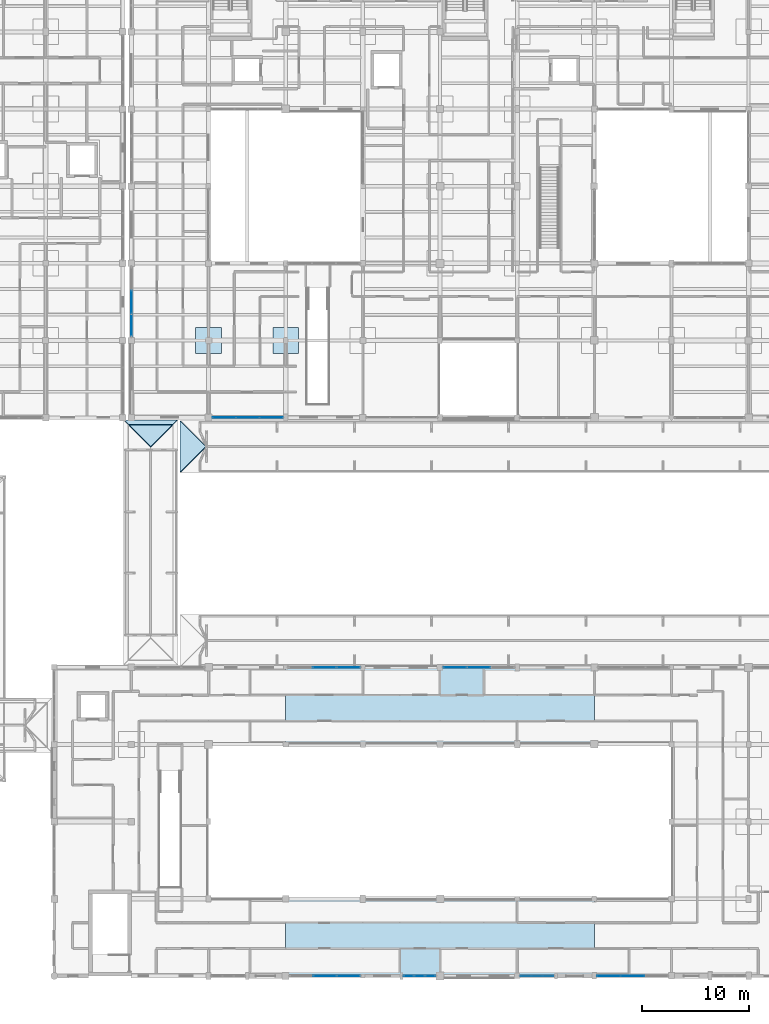
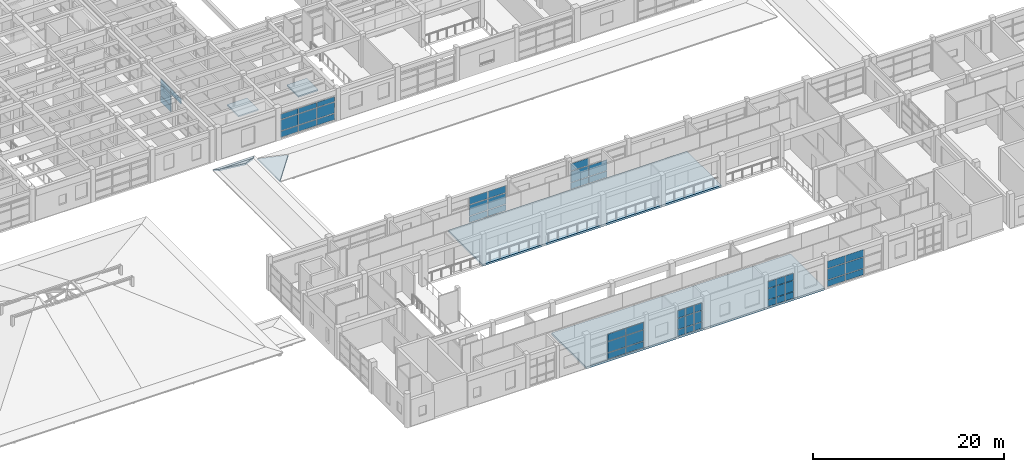
# One storey, part 60 of 110: 54 plates, 7 slabs, 10 elements without a shape of their own.
"""IFC4 building model written with IfcOpenShell, lengths in metres."""

from ifc_helpers import new_model, si_unit, direction, frame, origin, origin_2d, place, context, subcontext, project, spatial, polyline, rectangle, outline, extrude, material, layer, layer_set, type_object, element, aggregate, save


model = new_model("IFC4")

# Units and contexts
model_context = context("Model", 3, precision=1e-05, world=origin(), true_north=direction((0.0, 1.0)))
body_context = subcontext(model_context, "Body", "Model", "MODEL_VIEW")
ifc_project = project(units=[si_unit("LENGTHUNIT", "METRE"), si_unit("AREAUNIT", "SQUARE_METRE"), si_unit("VOLUMEUNIT", "CUBIC_METRE"), si_unit("PLANEANGLEUNIT", "RADIAN"), si_unit("MASSUNIT", "GRAM", prefix="KILO")], contexts=[model_context])

# Site, building, storey
site_placement = place(None, origin())
site = spatial("IfcSite", under=ifc_project, at=site_placement, CompositionType="ELEMENT")
building_placement = place(site_placement, origin())
building = spatial("IfcBuilding", under=site, at=building_placement, Name="Steenspoor Specialist Clinic", CompositionType="ELEMENT")
storey_placement = place(building_placement, frame((0.0, 0.0, 4.800048828125)))
storey = spatial("IfcBuildingStorey", under=building, at=storey_placement, Name="L01", CompositionType="ELEMENT", Elevation=4.800048828125)

# Curtain wall, plates
ifc_material_1 = material(Name="Thermally broken aluminium and low-emissivity glass", Category="aluminium")
curtain_wall_type_1 = type_object("IfcCurtainWallType", Name="CW-SCR-480X320", PredefinedType="USERDEFINED", material=ifc_material_1)
curtain_wall_1_placement = place(storey_placement, origin())
curtain_wall_1 = element("IfcCurtainWall", 1, at=curtain_wall_1_placement, inside=storey, type_object=curtain_wall_type_1, Name="Unitised Curtain Wall CW-V1-L01-018", ObjectType="UNITISED GLAZING", PredefinedType="USERDEFINED")
ifc_material_2 = material(Name="Double low-emissivity insulated glass", Category="glass")
ifc_layer_1 = layer(ifc_material_2, 0.035888671875)
ifc_layer_set_1 = layer_set([ifc_layer_1], Name="Double low-emissivity insulated glass")
plate_type_1 = type_object("IfcPlateType", Name="CW-PAN-GL36", PredefinedType="CURTAIN_PANEL", material=ifc_layer_set_1)
plate_1_placement = place(storey_placement, frame((80.29248046875, 13.050048828125, 0.059814453125), z_axis=(0.0, 0.0, 1.0), x_axis=(-1.0, 0.0, 0.0)))
plate_1 = element("IfcPlate", 2, at=plate_1_placement, type_object=plate_type_1, Name="CW-18 panel 1.1", PredefinedType="CURTAIN_PANEL", context=body_context, shape_type="SweptSolid", body=[
    extrude(rectangle(XDim=0.905029296875, YDim=0.035888671875, at=origin_2d()), origin(), (0.0, 0.0, 1.0), 0.81005859375),
])
plate_2_placement = place(storey_placement, frame((80.29248046875, 13.050048828125, 0.93017578125), z_axis=(0.0, 0.0, 1.0), x_axis=(-1.0, 0.0, 0.0)))
plate_2 = element("IfcPlate", 3, at=plate_2_placement, type_object=plate_type_1, Name="CW-18 panel 1.2", PredefinedType="CURTAIN_PANEL", context=body_context, shape_type="SweptSolid", body=[
    extrude(rectangle(XDim=0.905029296875, YDim=0.035888671875, at=origin_2d()), origin(), (0.0, 0.0, 1.0), 1.389892578125),
])
plate_3_placement = place(storey_placement, frame((80.29248046875, 13.050048828125, 2.3798828125), z_axis=(0.0, 0.0, 1.0), x_axis=(-1.0, 0.0, 0.0)))
plate_3 = element("IfcPlate", 4, at=plate_3_placement, type_object=plate_type_1, Name="CW-18 panel 1.3", PredefinedType="CURTAIN_PANEL", context=body_context, shape_type="SweptSolid", body=[
    extrude(rectangle(XDim=0.905029296875, YDim=0.035888671875, at=origin_2d()), origin(), (0.0, 0.0, 1.0), 0.93994140625),
])
plate_4_placement = place(storey_placement, frame((79.28759765625, 13.050048828125, 0.059814453125), z_axis=(0.0, 0.0, 1.0), x_axis=(-1.0, 0.0, 0.0)))
plate_4 = element("IfcPlate", 5, at=plate_4_placement, type_object=plate_type_1, Name="CW-18 panel 2.1", PredefinedType="CURTAIN_PANEL", context=body_context, shape_type="SweptSolid", body=[
    extrude(rectangle(XDim=0.945068359375, YDim=0.035888671875, at=origin_2d()), origin(), (0.0, 0.0, 1.0), 0.81005859375),
])
plate_5_placement = place(storey_placement, frame((79.28759765625, 13.050048828125, 0.93017578125), z_axis=(0.0, 0.0, 1.0), x_axis=(-1.0, 0.0, 0.0)))
plate_5 = element("IfcPlate", 6, at=plate_5_placement, type_object=plate_type_1, Name="CW-18 panel 2.2", PredefinedType="CURTAIN_PANEL", context=body_context, shape_type="SweptSolid", body=[
    extrude(rectangle(XDim=0.945068359375, YDim=0.035888671875, at=origin_2d()), origin(), (0.0, 0.0, 1.0), 1.389892578125),
])
plate_6_placement = place(storey_placement, frame((79.28759765625, 13.050048828125, 2.3798828125), z_axis=(0.0, 0.0, 1.0), x_axis=(-1.0, 0.0, 0.0)))
plate_6 = element("IfcPlate", 7, at=plate_6_placement, type_object=plate_type_1, Name="CW-18 panel 2.3", PredefinedType="CURTAIN_PANEL", context=body_context, shape_type="SweptSolid", body=[
    extrude(rectangle(XDim=0.945068359375, YDim=0.035888671875, at=origin_2d()), origin(), (0.0, 0.0, 1.0), 0.93994140625),
])
plate_7_placement = place(storey_placement, frame((78.282470703125, 13.050048828125, 0.059814453125), z_axis=(0.0, 0.0, 1.0), x_axis=(-1.0, 0.0, 0.0)))
plate_7 = element("IfcPlate", 8, at=plate_7_placement, type_object=plate_type_1, Name="CW-18 panel 3.1", PredefinedType="CURTAIN_PANEL", context=body_context, shape_type="SweptSolid", body=[
    extrude(rectangle(XDim=0.905029296875, YDim=0.035888671875, at=origin_2d()), origin(), (0.0, 0.0, 1.0), 0.81005859375),
])
plate_8_placement = place(storey_placement, frame((78.282470703125, 13.050048828125, 0.93017578125), z_axis=(0.0, 0.0, 1.0), x_axis=(-1.0, 0.0, 0.0)))
plate_8 = element("IfcPlate", 9, at=plate_8_placement, type_object=plate_type_1, Name="CW-18 panel 3.2", PredefinedType="CURTAIN_PANEL", context=body_context, shape_type="SweptSolid", body=[
    extrude(rectangle(XDim=0.905029296875, YDim=0.035888671875, at=origin_2d()), origin(), (0.0, 0.0, 1.0), 1.389892578125),
])
plate_9_placement = place(storey_placement, frame((78.282470703125, 13.050048828125, 2.3798828125), z_axis=(0.0, 0.0, 1.0), x_axis=(-1.0, 0.0, 0.0)))
plate_9 = element("IfcPlate", 10, at=plate_9_placement, type_object=plate_type_1, Name="CW-18 panel 3.3", PredefinedType="CURTAIN_PANEL", context=body_context, shape_type="SweptSolid", body=[
    extrude(rectangle(XDim=0.905029296875, YDim=0.035888671875, at=origin_2d()), origin(), (0.0, 0.0, 1.0), 0.93994140625),
])
aggregate(curtain_wall_1, [plate_1, plate_2, plate_3, plate_4, plate_5, plate_6, plate_7, plate_8, plate_9])

curtain_wall_type_2 = type_object("IfcCurtainWallType", Name="CW-STR-220X415", PredefinedType="USERDEFINED", material=ifc_material_1)
curtain_wall_2_placement = place(storey_placement, origin())
curtain_wall_2 = element("IfcCurtainWall", 11, at=curtain_wall_2_placement, inside=storey, type_object=curtain_wall_type_2, Name="Unitised Curtain Wall CW-V1-L01-024", ObjectType="UNITISED GLAZING", PredefinedType="USERDEFINED")
plate_10_placement = place(storey_placement, frame((70.41259765625, 41.85009765625, 0.08984375), z_axis=(0.0, 0.0, 1.0), x_axis=(1.0, 0.0, 0.0)))
plate_10 = element("IfcPlate", 12, at=plate_10_placement, type_object=plate_type_1, Name="CW-24 panel 2.1", PredefinedType="CURTAIN_PANEL", context=body_context, shape_type="SweptSolid", body=[
    extrude(rectangle(XDim=2.17822265625, YDim=0.035888671875, at=origin_2d()), origin(), (0.0, 0.0, 1.0), 0.764892578125),
])
plate_11_placement = place(storey_placement, frame((70.41259765625, 41.85009765625, 0.94482421875), z_axis=(0.0, 0.0, 1.0), x_axis=(1.0, 0.0, 0.0)))
plate_11 = element("IfcPlate", 13, at=plate_11_placement, type_object=plate_type_1, Name="CW-24 panel 2.2", PredefinedType="CURTAIN_PANEL", context=body_context, shape_type="SweptSolid", body=[
    extrude(rectangle(XDim=2.17822265625, YDim=0.035888671875, at=origin_2d()), origin(), (0.0, 0.0, 1.0), 1.360107421875),
])
plate_12_placement = place(storey_placement, frame((70.41259765625, 41.85009765625, 2.39501953125), z_axis=(0.0, 0.0, 1.0), x_axis=(1.0, 0.0, 0.0)))
plate_12 = element("IfcPlate", 14, at=plate_12_placement, type_object=plate_type_1, Name="CW-24 panel 2.3", PredefinedType="CURTAIN_PANEL", context=body_context, shape_type="SweptSolid", body=[
    extrude(rectangle(XDim=2.17822265625, YDim=0.035888671875, at=origin_2d()), origin(), (0.0, 0.0, 1.0), 0.89501953125),
])
plate_13_placement = place(storey_placement, frame((72.65087890625, 41.85009765625, 0.08984375), z_axis=(0.0, 0.0, 1.0), x_axis=(1.0, 0.0, 0.0)))
plate_13 = element("IfcPlate", 15, at=plate_13_placement, type_object=plate_type_1, Name="CW-24 panel 3.1", PredefinedType="CURTAIN_PANEL", context=body_context, shape_type="SweptSolid", body=[
    extrude(rectangle(XDim=2.138427734375, YDim=0.035888671875, at=origin_2d()), origin(), (0.0, 0.0, 1.0), 0.764892578125),
])
plate_14_placement = place(storey_placement, frame((72.65087890625, 41.85009765625, 0.94482421875), z_axis=(0.0, 0.0, 1.0), x_axis=(1.0, 0.0, 0.0)))
plate_14 = element("IfcPlate", 16, at=plate_14_placement, type_object=plate_type_1, Name="CW-24 panel 3.2", PredefinedType="CURTAIN_PANEL", context=body_context, shape_type="SweptSolid", body=[
    extrude(rectangle(XDim=2.138427734375, YDim=0.035888671875, at=origin_2d()), origin(), (0.0, 0.0, 1.0), 1.360107421875),
])
plate_15_placement = place(storey_placement, frame((72.65087890625, 41.85009765625, 2.39501953125), z_axis=(0.0, 0.0, 1.0), x_axis=(1.0, 0.0, 0.0)))
plate_15 = element("IfcPlate", 17, at=plate_15_placement, type_object=plate_type_1, Name="CW-24 panel 3.3", PredefinedType="CURTAIN_PANEL", context=body_context, shape_type="SweptSolid", body=[
    extrude(rectangle(XDim=2.138427734375, YDim=0.035888671875, at=origin_2d()), origin(), (0.0, 0.0, 1.0), 0.89501953125),
])
aggregate(curtain_wall_2, [plate_10, plate_11, plate_12, plate_13, plate_14, plate_15])

curtain_wall_type_3 = type_object("IfcCurtainWallType", Name="CW-TYP-240X355", PredefinedType="USERDEFINED", material=ifc_material_1)
curtain_wall_3_placement = place(storey_placement, origin())
curtain_wall_3 = element("IfcCurtainWall", 18, at=curtain_wall_3_placement, inside=storey, type_object=curtain_wall_type_3, Name="Unitised Curtain Wall CW-V1-L01-016", ObjectType="UNITISED GLAZING", PredefinedType="USERDEFINED")
ifc_material_3 = material(Name="Triple acoustic laminated low-emissivity glass", Category="glass")
ifc_layer_2 = layer(ifc_material_3, 0.048095703125)
ifc_layer_set_2 = layer_set([ifc_layer_2], Name="Triple acoustic laminated low-emissivity glass")
plate_type_2 = type_object("IfcPlateType", Name="CW-PAN-GL48", PredefinedType="CURTAIN_PANEL", material=ifc_layer_set_2)
plate_16_placement = place(storey_placement, frame((99.16259765625, 13.050048828125, 0.070068359375), z_axis=(0.0, 0.0, 1.0), x_axis=(-1.0, 0.0, 0.0)))
plate_16 = element("IfcPlate", 19, at=plate_16_placement, type_object=plate_type_2, Name="CW-16 panel 2.1", PredefinedType="CURTAIN_PANEL", context=body_context, shape_type="SweptSolid", body=[
    extrude(rectangle(XDim=2.1650390625, YDim=0.048095703125, at=origin_2d()), origin(), (0.0, 0.0, 1.0), 0.794921875),
])
plate_17_placement = place(storey_placement, frame((99.16259765625, 13.050048828125, 0.93505859375), z_axis=(0.0, 0.0, 1.0), x_axis=(-1.0, 0.0, 0.0)))
plate_17 = element("IfcPlate", 20, at=plate_17_placement, type_object=plate_type_2, Name="CW-16 panel 2.2", PredefinedType="CURTAIN_PANEL", context=body_context, shape_type="SweptSolid", body=[
    extrude(rectangle(XDim=2.1650390625, YDim=0.048095703125, at=origin_2d()), origin(), (0.0, 0.0, 1.0), 1.3798828125),
])
plate_18_placement = place(storey_placement, frame((99.16259765625, 13.050048828125, 2.384765625), z_axis=(0.0, 0.0, 1.0), x_axis=(-1.0, 0.0, 0.0)))
plate_18 = element("IfcPlate", 21, at=plate_18_placement, type_object=plate_type_2, Name="CW-16 panel 2.3", PredefinedType="CURTAIN_PANEL", context=body_context, shape_type="SweptSolid", body=[
    extrude(rectangle(XDim=2.1650390625, YDim=0.048095703125, at=origin_2d()), origin(), (0.0, 0.0, 1.0), 0.925048828125),
])
plate_19_placement = place(storey_placement, frame((96.952392578125, 13.050048828125, 0.070068359375), z_axis=(0.0, 0.0, 1.0), x_axis=(-1.0, 0.0, 0.0)))
plate_19 = element("IfcPlate", 22, at=plate_19_placement, type_object=plate_type_2, Name="CW-16 panel 3.1", PredefinedType="CURTAIN_PANEL", context=body_context, shape_type="SweptSolid", body=[
    extrude(rectangle(XDim=2.135009765625, YDim=0.048095703125, at=origin_2d()), origin(), (0.0, 0.0, 1.0), 0.794921875),
])
plate_20_placement = place(storey_placement, frame((96.952392578125, 13.050048828125, 0.93505859375), z_axis=(0.0, 0.0, 1.0), x_axis=(-1.0, 0.0, 0.0)))
plate_20 = element("IfcPlate", 23, at=plate_20_placement, type_object=plate_type_2, Name="CW-16 panel 3.2", PredefinedType="CURTAIN_PANEL", context=body_context, shape_type="SweptSolid", body=[
    extrude(rectangle(XDim=2.135009765625, YDim=0.048095703125, at=origin_2d()), origin(), (0.0, 0.0, 1.0), 1.3798828125),
])
plate_21_placement = place(storey_placement, frame((96.952392578125, 13.050048828125, 2.384765625), z_axis=(0.0, 0.0, 1.0), x_axis=(-1.0, 0.0, 0.0)))
plate_21 = element("IfcPlate", 24, at=plate_21_placement, type_object=plate_type_2, Name="CW-16 panel 3.3", PredefinedType="CURTAIN_PANEL", context=body_context, shape_type="SweptSolid", body=[
    extrude(rectangle(XDim=2.135009765625, YDim=0.048095703125, at=origin_2d()), origin(), (0.0, 0.0, 1.0), 0.925048828125),
])
aggregate(curtain_wall_3, [plate_16, plate_17, plate_18, plate_19, plate_20, plate_21])

curtain_wall_type_4 = type_object("IfcCurtainWallType", Name="CW-SCR-360X320", PredefinedType="USERDEFINED", material=ifc_material_1)
curtain_wall_4_placement = place(storey_placement, origin())
curtain_wall_4 = element("IfcCurtainWall", 25, at=curtain_wall_4_placement, inside=storey, type_object=curtain_wall_type_4, Name="Unitised Curtain Wall CW-V1-L01-019", ObjectType="UNITISED GLAZING", PredefinedType="USERDEFINED")
plate_22_placement = place(storey_placement, frame((72.66748046875, 13.050048828125, 0.08984375), z_axis=(0.0, 0.0, 1.0), x_axis=(-1.0, 0.0, 0.0)))
plate_22 = element("IfcPlate", 26, at=plate_22_placement, type_object=plate_type_2, Name="CW-19 panel 1.1", PredefinedType="CURTAIN_PANEL", context=body_context, shape_type="SweptSolid", body=[
    extrude(rectangle(XDim=2.10498046875, YDim=0.048095703125, at=origin_2d()), origin(), (0.0, 0.0, 1.0), 0.764892578125),
])
plate_23_placement = place(storey_placement, frame((72.66748046875, 13.050048828125, 0.94482421875), z_axis=(0.0, 0.0, 1.0), x_axis=(-1.0, 0.0, 0.0)))
plate_23 = element("IfcPlate", 27, at=plate_23_placement, type_object=plate_type_2, Name="CW-19 panel 1.2", PredefinedType="CURTAIN_PANEL", context=body_context, shape_type="SweptSolid", body=[
    extrude(rectangle(XDim=2.10498046875, YDim=0.048095703125, at=origin_2d()), origin(), (0.0, 0.0, 1.0), 1.360107421875),
])
plate_24_placement = place(storey_placement, frame((72.66748046875, 13.050048828125, 2.39501953125), z_axis=(0.0, 0.0, 1.0), x_axis=(-1.0, 0.0, 0.0)))
plate_24 = element("IfcPlate", 28, at=plate_24_placement, type_object=plate_type_2, Name="CW-19 panel 1.3", PredefinedType="CURTAIN_PANEL", context=body_context, shape_type="SweptSolid", body=[
    extrude(rectangle(XDim=2.10498046875, YDim=0.048095703125, at=origin_2d()), origin(), (0.0, 0.0, 1.0), 0.89501953125),
])
plate_25_placement = place(storey_placement, frame((70.46240234375, 13.050048828125, 0.08984375), z_axis=(0.0, 0.0, 1.0), x_axis=(-1.0, 0.0, 0.0)))
plate_25 = element("IfcPlate", 29, at=plate_25_placement, type_object=plate_type_2, Name="CW-19 panel 2.1", PredefinedType="CURTAIN_PANEL", context=body_context, shape_type="SweptSolid", body=[
    extrude(rectangle(XDim=2.14501953125, YDim=0.048095703125, at=origin_2d()), origin(), (0.0, 0.0, 1.0), 0.764892578125),
])
plate_26_placement = place(storey_placement, frame((70.46240234375, 13.050048828125, 0.94482421875), z_axis=(0.0, 0.0, 1.0), x_axis=(-1.0, 0.0, 0.0)))
plate_26 = element("IfcPlate", 30, at=plate_26_placement, type_object=plate_type_2, Name="CW-19 panel 2.2", PredefinedType="CURTAIN_PANEL", context=body_context, shape_type="SweptSolid", body=[
    extrude(rectangle(XDim=2.14501953125, YDim=0.048095703125, at=origin_2d()), origin(), (0.0, 0.0, 1.0), 1.360107421875),
])
plate_27_placement = place(storey_placement, frame((70.46240234375, 13.050048828125, 2.39501953125), z_axis=(0.0, 0.0, 1.0), x_axis=(-1.0, 0.0, 0.0)))
plate_27 = element("IfcPlate", 31, at=plate_27_placement, type_object=plate_type_2, Name="CW-19 panel 2.3", PredefinedType="CURTAIN_PANEL", context=body_context, shape_type="SweptSolid", body=[
    extrude(rectangle(XDim=2.14501953125, YDim=0.048095703125, at=origin_2d()), origin(), (0.0, 0.0, 1.0), 0.89501953125),
])
aggregate(curtain_wall_4, [plate_22, plate_23, plate_24, plate_25, plate_26, plate_27])

curtain_wall_type_5 = type_object("IfcCurtainWallType", Name="CW-HALL-660X820", PredefinedType="USERDEFINED", material=ifc_material_1)
curtain_wall_5_placement = place(storey_placement, origin())
curtain_wall_5 = element("IfcCurtainWall", 32, at=curtain_wall_5_placement, inside=storey, type_object=curtain_wall_type_5, Name="Unitised Curtain Wall CW-V1-L01-025", ObjectType="UNITISED GLAZING", PredefinedType="USERDEFINED")
plate_28_placement = place(storey_placement, frame((82.611572265625, 41.85009765625, 0.080078125), z_axis=(0.0, 0.0, 1.0), x_axis=(1.0, 0.0, 0.0)))
plate_28 = element("IfcPlate", 33, at=plate_28_placement, type_object=plate_type_2, Name="CW-01 panel 1.1", PredefinedType="CURTAIN_PANEL", context=body_context, shape_type="SweptSolid", body=[
    extrude(rectangle(XDim=2.11328125, YDim=0.048095703125, at=origin_2d()), origin(), (0.0, 0.0, 1.0), 0.780029296875),
])
plate_29_placement = place(storey_placement, frame((82.611572265625, 41.85009765625, 0.93994140625), z_axis=(0.0, 0.0, 1.0), x_axis=(1.0, 0.0, 0.0)))
plate_29 = element("IfcPlate", 34, at=plate_29_placement, type_object=plate_type_2, Name="CW-01 panel 1.2", PredefinedType="CURTAIN_PANEL", context=body_context, shape_type="SweptSolid", body=[
    extrude(rectangle(XDim=2.11328125, YDim=0.048095703125, at=origin_2d()), origin(), (0.0, 0.0, 1.0), 1.3701171875),
])
plate_30_placement = place(storey_placement, frame((82.611572265625, 41.85009765625, 2.39013671875), z_axis=(0.0, 0.0, 1.0), x_axis=(1.0, 0.0, 0.0)))
plate_30 = element("IfcPlate", 35, at=plate_30_placement, type_object=plate_type_2, Name="CW-01 panel 1.3", PredefinedType="CURTAIN_PANEL", context=body_context, shape_type="SweptSolid", body=[
    extrude(rectangle(XDim=2.11328125, YDim=0.048095703125, at=origin_2d()), origin(), (0.0, 0.0, 1.0), 0.909912109375),
])
plate_31_placement = place(storey_placement, frame((84.824951171875, 41.85009765625, 0.080078125), z_axis=(0.0, 0.0, 1.0), x_axis=(1.0, 0.0, 0.0)))
plate_31 = element("IfcPlate", 36, at=plate_31_placement, type_object=plate_type_2, Name="CW-01 panel 2.1", PredefinedType="CURTAIN_PANEL", context=body_context, shape_type="SweptSolid", body=[
    extrude(rectangle(XDim=2.1533203125, YDim=0.048095703125, at=origin_2d()), origin(), (0.0, 0.0, 1.0), 0.780029296875),
])
plate_32_placement = place(storey_placement, frame((84.824951171875, 41.85009765625, 0.93994140625), z_axis=(0.0, 0.0, 1.0), x_axis=(1.0, 0.0, 0.0)))
plate_32 = element("IfcPlate", 37, at=plate_32_placement, type_object=plate_type_2, Name="CW-01 panel 2.2", PredefinedType="CURTAIN_PANEL", context=body_context, shape_type="SweptSolid", body=[
    extrude(rectangle(XDim=2.1533203125, YDim=0.048095703125, at=origin_2d()), origin(), (0.0, 0.0, 1.0), 1.3701171875),
])
aggregate(curtain_wall_5, [plate_28, plate_29, plate_30, plate_31, plate_32])

curtain_wall_6_placement = place(storey_placement, origin())
curtain_wall_6 = element("IfcCurtainWall", 38, at=curtain_wall_6_placement, inside=storey, type_object=curtain_wall_type_3, Name="Unitised Curtain Wall CW-V4-L01-064", ObjectType="UNITISED GLAZING", PredefinedType="USERDEFINED")
plate_33_placement = place(storey_placement, frame((65.45166015625, 65.14990234375, 0.08984375), z_axis=(0.0, 0.0, 1.0), x_axis=(-1.0, 0.0, 0.0)))
plate_33 = element("IfcPlate", 39, at=plate_33_placement, type_object=plate_type_2, Name="CW-16 panel 1.1", PredefinedType="CURTAIN_PANEL", context=body_context, shape_type="SweptSolid", body=[
    extrude(rectangle(XDim=2.126708984375, YDim=0.048095703125, at=origin_2d()), origin(), (0.0, 0.0, 1.0), 0.764892578125),
])
plate_34_placement = place(storey_placement, frame((65.45166015625, 65.14990234375, 0.94482421875), z_axis=(0.0, 0.0, 1.0), x_axis=(-1.0, 0.0, 0.0)))
plate_34 = element("IfcPlate", 40, at=plate_34_placement, type_object=plate_type_2, Name="CW-16 panel 1.2", PredefinedType="CURTAIN_PANEL", context=body_context, shape_type="SweptSolid", body=[
    extrude(rectangle(XDim=2.126708984375, YDim=0.048095703125, at=origin_2d()), origin(), (0.0, 0.0, 1.0), 1.360107421875),
])
plate_35_placement = place(storey_placement, frame((65.45166015625, 65.14990234375, 2.39501953125), z_axis=(0.0, 0.0, 1.0), x_axis=(-1.0, 0.0, 0.0)))
plate_35 = element("IfcPlate", 41, at=plate_35_placement, type_object=plate_type_2, Name="CW-16 panel 1.3", PredefinedType="CURTAIN_PANEL", context=body_context, shape_type="SweptSolid", body=[
    extrude(rectangle(XDim=2.126708984375, YDim=0.048095703125, at=origin_2d()), origin(), (0.0, 0.0, 1.0), 0.64501953125),
])
plate_36_placement = place(storey_placement, frame((63.25, 65.14990234375, 0.08984375), z_axis=(0.0, 0.0, 1.0), x_axis=(-1.0, 0.0, 0.0)))
plate_36 = element("IfcPlate", 42, at=plate_36_placement, type_object=plate_type_2, Name="CW-16 panel 2.1", PredefinedType="CURTAIN_PANEL", context=body_context, shape_type="SweptSolid", body=[
    extrude(rectangle(XDim=2.15673828125, YDim=0.048095703125, at=origin_2d()), origin(), (0.0, 0.0, 1.0), 0.764892578125),
])
plate_37_placement = place(storey_placement, frame((63.25, 65.14990234375, 0.94482421875), z_axis=(0.0, 0.0, 1.0), x_axis=(-1.0, 0.0, 0.0)))
plate_37 = element("IfcPlate", 43, at=plate_37_placement, type_object=plate_type_2, Name="CW-16 panel 2.2", PredefinedType="CURTAIN_PANEL", context=body_context, shape_type="SweptSolid", body=[
    extrude(rectangle(XDim=2.15673828125, YDim=0.048095703125, at=origin_2d()), origin(), (0.0, 0.0, 1.0), 1.360107421875),
])
plate_38_placement = place(storey_placement, frame((63.25, 65.14990234375, 2.39501953125), z_axis=(0.0, 0.0, 1.0), x_axis=(-1.0, 0.0, 0.0)))
plate_38 = element("IfcPlate", 44, at=plate_38_placement, type_object=plate_type_2, Name="CW-16 panel 2.3", PredefinedType="CURTAIN_PANEL", context=body_context, shape_type="SweptSolid", body=[
    extrude(rectangle(XDim=2.15673828125, YDim=0.048095703125, at=origin_2d()), origin(), (0.0, 0.0, 1.0), 0.64501953125),
])
plate_39_placement = place(storey_placement, frame((61.04833984375, 65.14990234375, 0.08984375), z_axis=(0.0, 0.0, 1.0), x_axis=(-1.0, 0.0, 0.0)))
plate_39 = element("IfcPlate", 45, at=plate_39_placement, type_object=plate_type_2, Name="CW-16 panel 3.1", PredefinedType="CURTAIN_PANEL", context=body_context, shape_type="SweptSolid", body=[
    extrude(rectangle(XDim=2.126708984375, YDim=0.048095703125, at=origin_2d()), origin(), (0.0, 0.0, 1.0), 0.764892578125),
])
plate_40_placement = place(storey_placement, frame((61.04833984375, 65.14990234375, 0.94482421875), z_axis=(0.0, 0.0, 1.0), x_axis=(-1.0, 0.0, 0.0)))
plate_40 = element("IfcPlate", 46, at=plate_40_placement, type_object=plate_type_2, Name="CW-16 panel 3.2", PredefinedType="CURTAIN_PANEL", context=body_context, shape_type="SweptSolid", body=[
    extrude(rectangle(XDim=2.126708984375, YDim=0.048095703125, at=origin_2d()), origin(), (0.0, 0.0, 1.0), 1.360107421875),
])
plate_41_placement = place(storey_placement, frame((61.04833984375, 65.14990234375, 2.39501953125), z_axis=(0.0, 0.0, 1.0), x_axis=(-1.0, 0.0, 0.0)))
plate_41 = element("IfcPlate", 47, at=plate_41_placement, type_object=plate_type_2, Name="CW-16 panel 3.3", PredefinedType="CURTAIN_PANEL", context=body_context, shape_type="SweptSolid", body=[
    extrude(rectangle(XDim=2.126708984375, YDim=0.048095703125, at=origin_2d()), origin(), (0.0, 0.0, 1.0), 0.64501953125),
])
aggregate(curtain_wall_6, [plate_33, plate_34, plate_35, plate_36, plate_37, plate_38, plate_39, plate_40, plate_41])

curtain_wall_type_6 = type_object("IfcCurtainWallType", Name="CW-SCR-660X320", PredefinedType="USERDEFINED", material=ifc_material_1)
curtain_wall_7_placement = place(storey_placement, origin())
curtain_wall_7 = element("IfcCurtainWall", 48, at=curtain_wall_7_placement, inside=storey, type_object=curtain_wall_type_6, Name="Unitised Curtain Wall CW-V1-L01-017", ObjectType="UNITISED GLAZING", PredefinedType="USERDEFINED")
ifc_material_4 = material(Name="Insulated glazed ceramic spandrel panel", Category="glass")
ifc_layer_3 = layer(ifc_material_4, 0.074951171875)
ifc_layer_set_3 = layer_set([ifc_layer_3], Name="Insulated glazed ceramic spandrel panel")
plate_type_3 = type_object("IfcPlateType", Name="CW-PAN-SP75", PredefinedType="CURTAIN_PANEL", material=ifc_layer_set_3)
plate_42_placement = place(storey_placement, frame((91.302490234375, 13.050048828125, 0.06494140625), z_axis=(0.0, 0.0, 1.0), x_axis=(-1.0, 0.0, 0.0)))
plate_42 = element("IfcPlate", 49, at=plate_42_placement, type_object=plate_type_3, Name="CW-17 panel 1.1", PredefinedType="CURTAIN_PANEL", context=body_context, shape_type="SweptSolid", body=[
    extrude(rectangle(XDim=0.93505859375, YDim=0.074951171875, at=origin_2d()), origin(), (0.0, 0.0, 1.0), 0.802490234375),
])
plate_43_placement = place(storey_placement, frame((91.302490234375, 13.050048828125, 0.9326171875), z_axis=(0.0, 0.0, 1.0), x_axis=(-1.0, 0.0, 0.0)))
plate_43 = element("IfcPlate", 50, at=plate_43_placement, type_object=plate_type_3, Name="CW-17 panel 1.2", PredefinedType="CURTAIN_PANEL", context=body_context, shape_type="SweptSolid", body=[
    extrude(rectangle(XDim=0.93505859375, YDim=0.074951171875, at=origin_2d()), origin(), (0.0, 0.0, 1.0), 1.385009765625),
])
plate_44_placement = place(storey_placement, frame((91.302490234375, 13.050048828125, 2.38232421875), z_axis=(0.0, 0.0, 1.0), x_axis=(-1.0, 0.0, 0.0)))
plate_44 = element("IfcPlate", 51, at=plate_44_placement, type_object=plate_type_3, Name="CW-17 panel 1.3", PredefinedType="CURTAIN_PANEL", context=body_context, shape_type="SweptSolid", body=[
    extrude(rectangle(XDim=0.93505859375, YDim=0.074951171875, at=origin_2d()), origin(), (0.0, 0.0, 1.0), 0.8525390625),
])
plate_45_placement = place(storey_placement, frame((90.2548828125, 13.050048828125, 0.06494140625), z_axis=(0.0, 0.0, 1.0), x_axis=(-1.0, 0.0, 0.0)))
plate_45 = element("IfcPlate", 52, at=plate_45_placement, type_object=plate_type_3, Name="CW-17 panel 2.1", PredefinedType="CURTAIN_PANEL", context=body_context, shape_type="SweptSolid", body=[
    extrude(rectangle(XDim=0.97998046875, YDim=0.074951171875, at=origin_2d()), origin(), (0.0, 0.0, 1.0), 0.802490234375),
])
plate_46_placement = place(storey_placement, frame((90.2548828125, 13.050048828125, 0.9326171875), z_axis=(0.0, 0.0, 1.0), x_axis=(-1.0, 0.0, 0.0)))
plate_46 = element("IfcPlate", 53, at=plate_46_placement, type_object=plate_type_3, Name="CW-17 panel 2.2", PredefinedType="CURTAIN_PANEL", context=body_context, shape_type="SweptSolid", body=[
    extrude(rectangle(XDim=0.97998046875, YDim=0.074951171875, at=origin_2d()), origin(), (0.0, 0.0, 1.0), 1.385009765625),
])
plate_47_placement = place(storey_placement, frame((90.2548828125, 13.050048828125, 2.38232421875), z_axis=(0.0, 0.0, 1.0), x_axis=(-1.0, 0.0, 0.0)))
plate_47 = element("IfcPlate", 54, at=plate_47_placement, type_object=plate_type_3, Name="CW-17 panel 2.3", PredefinedType="CURTAIN_PANEL", context=body_context, shape_type="SweptSolid", body=[
    extrude(rectangle(XDim=0.97998046875, YDim=0.074951171875, at=origin_2d()), origin(), (0.0, 0.0, 1.0), 0.8525390625),
])
plate_48_placement = place(storey_placement, frame((89.20751953125, 13.050048828125, 0.06494140625), z_axis=(0.0, 0.0, 1.0), x_axis=(-1.0, 0.0, 0.0)))
plate_48 = element("IfcPlate", 55, at=plate_48_placement, type_object=plate_type_3, Name="CW-17 panel 3.1", PredefinedType="CURTAIN_PANEL", context=body_context, shape_type="SweptSolid", body=[
    extrude(rectangle(XDim=0.93505859375, YDim=0.074951171875, at=origin_2d()), origin(), (0.0, 0.0, 1.0), 0.802490234375),
])
plate_49_placement = place(storey_placement, frame((89.20751953125, 13.050048828125, 0.9326171875), z_axis=(0.0, 0.0, 1.0), x_axis=(-1.0, 0.0, 0.0)))
plate_49 = element("IfcPlate", 56, at=plate_49_placement, type_object=plate_type_3, Name="CW-17 panel 3.2", PredefinedType="CURTAIN_PANEL", context=body_context, shape_type="SweptSolid", body=[
    extrude(rectangle(XDim=0.93505859375, YDim=0.074951171875, at=origin_2d()), origin(), (0.0, 0.0, 1.0), 1.385009765625),
])
plate_50_placement = place(storey_placement, frame((89.20751953125, 13.050048828125, 2.38232421875), z_axis=(0.0, 0.0, 1.0), x_axis=(-1.0, 0.0, 0.0)))
plate_50 = element("IfcPlate", 57, at=plate_50_placement, type_object=plate_type_3, Name="CW-17 panel 3.3", PredefinedType="CURTAIN_PANEL", context=body_context, shape_type="SweptSolid", body=[
    extrude(rectangle(XDim=0.93505859375, YDim=0.074951171875, at=origin_2d()), origin(), (0.0, 0.0, 1.0), 0.8525390625),
])
aggregate(curtain_wall_7, [plate_42, plate_43, plate_44, plate_45, plate_46, plate_47, plate_48, plate_49, plate_50])

curtain_wall_8_placement = place(storey_placement, origin())
curtain_wall_8 = element("IfcCurtainWall", 58, at=curtain_wall_8_placement, inside=storey, type_object=curtain_wall_type_6, Name="Unitised Curtain Wall CW-V4-L01-065", ObjectType="UNITISED GLAZING", PredefinedType="USERDEFINED")
plate_51_placement = place(storey_placement, frame((52.39990234375, 73.7724609375, 2.39013671875), z_axis=(0.0, 0.0, 1.0), x_axis=(0.0, 1.0, 0.0)))
plate_51 = element("IfcPlate", 59, at=plate_51_placement, type_object=plate_type_3, Name="CW-17 panel 1.3", PredefinedType="CURTAIN_PANEL", context=body_context, shape_type="SweptSolid", body=[
    extrude(rectangle(XDim=2.06494140625, YDim=0.074951171875, at=origin_2d()), origin(), (0.0, 0.0, 1.0), 0.659912109375),
])
plate_52_placement = place(storey_placement, frame((52.39990234375, 75.949951171875, 0.080078125), z_axis=(0.0, 0.0, 1.0), x_axis=(0.0, 1.0, 0.0)))
plate_52 = element("IfcPlate", 60, at=plate_52_placement, type_object=plate_type_3, Name="CW-17 panel 2.1", PredefinedType="CURTAIN_PANEL", context=body_context, shape_type="SweptSolid", body=[
    extrude(rectangle(XDim=2.110107421875, YDim=0.074951171875, at=origin_2d()), origin(), (0.0, 0.0, 1.0), 0.780029296875),
])
plate_53_placement = place(storey_placement, frame((52.39990234375, 75.949951171875, 0.93994140625), z_axis=(0.0, 0.0, 1.0), x_axis=(0.0, 1.0, 0.0)))
plate_53 = element("IfcPlate", 61, at=plate_53_placement, type_object=plate_type_3, Name="CW-17 panel 2.2", PredefinedType="CURTAIN_PANEL", context=body_context, shape_type="SweptSolid", body=[
    extrude(rectangle(XDim=2.110107421875, YDim=0.074951171875, at=origin_2d()), origin(), (0.0, 0.0, 1.0), 1.3701171875),
])
plate_54_placement = place(storey_placement, frame((52.39990234375, 75.949951171875, 2.39013671875), z_axis=(0.0, 0.0, 1.0), x_axis=(0.0, 1.0, 0.0)))
plate_54 = element("IfcPlate", 62, at=plate_54_placement, type_object=plate_type_3, Name="CW-17 panel 2.3", PredefinedType="CURTAIN_PANEL", context=body_context, shape_type="SweptSolid", body=[
    extrude(rectangle(XDim=2.110107421875, YDim=0.074951171875, at=origin_2d()), origin(), (0.0, 0.0, 1.0), 0.659912109375),
])
aggregate(curtain_wall_8, [plate_51, plate_52, plate_53, plate_54])

# Slabs
ifc_material_5 = material(Name="Concrete C35/45", Category="concrete")
ifc_layer_4 = layer(ifc_material_5, 0.169921875)
ifc_layer_set_4 = layer_set([ifc_layer_4], Name="Concrete C35/45")
slab_type_1 = type_object("IfcSlabType", Name="SL-DROP-170", PredefinedType="USERDEFINED", material=ifc_layer_set_4)
slab_1_placement = place(storey_placement, frame((0.0, 0.0, -0.420166015625)))
element("IfcSlab", 63, at=slab_1_placement, inside=storey, type_object=slab_type_1, Name="Column Drop Panel DROP-V4-L01-019", ObjectType="DROP PANEL", PredefinedType="USERDEFINED", context=body_context, shape_type="SweptSolid", body=[
    extrude(outline(polyline([(60.800048828125, 71.14990234375), (60.800048828125, 73.550048828125), (58.39990234375, 73.550048828125), (58.39990234375, 71.14990234375), (60.800048828125, 71.14990234375)])), origin(), (0.0, 0.0, 1.0), 0.170166015625),
])
slab_2_placement = place(storey_placement, frame((0.0, 0.0, -0.420166015625)))
element("IfcSlab", 64, at=slab_2_placement, inside=storey, type_object=slab_type_1, Name="Column Drop Panel DROP-V4-L01-020", ObjectType="DROP PANEL", PredefinedType="USERDEFINED", context=body_context, shape_type="SweptSolid", body=[
    extrude(outline(polyline([(68.0, 71.14990234375), (68.0, 73.550048828125), (65.60009765625, 73.550048828125), (65.60009765625, 71.14990234375), (68.0, 71.14990234375)])), origin(), (0.0, 0.0, 1.0), 0.170166015625),
])
ifc_layer_5 = layer(ifc_material_5, 0.25)
ifc_layer_set_5 = layer_set([ifc_layer_5], Name="Concrete C35/45")
slab_type_2 = type_object("IfcSlabType", Name="SL-FLAT-250", PredefinedType="FLOOR", material=ifc_layer_set_5)
slab_3_placement = place(storey_placement, frame((0.0, 0.0, -0.25)))
element("IfcSlab", 65, at=slab_3_placement, inside=storey, type_object=slab_type_2, Name="Structural Slab SLAB-V1-L01-005", PredefinedType="FLOOR", context=body_context, shape_type="SweptSolid", body=[
    extrude(outline(polyline([(95.60009765625, 41.85009765625), (95.60009765625, 34.64990234375), (66.800048828125, 34.64990234375), (66.800048828125, 41.85009765625), (95.60009765625, 41.85009765625)])), origin(), (0.0, 0.0, 1.0), 0.25),
])
slab_4_placement = place(storey_placement, frame((0.0, 0.0, -0.25)))
element("IfcSlab", 66, at=slab_4_placement, inside=storey, type_object=slab_type_2, Name="Structural Slab SLAB-V1-L01-006", PredefinedType="FLOOR", context=body_context, shape_type="SweptSolid", body=[
    extrude(outline(polyline([(66.800048828125, 13.050048828125), (66.800048828125, 20.25), (95.60009765625, 20.25), (95.60009765625, 13.050048828125), (66.800048828125, 13.050048828125)])), origin(), (0.0, 0.0, 1.0), 0.25),
])

# Roof, slabs
ifc_material_6 = material(Name="Extruded terracotta clay roof tile", Category="masonry")
roof_type = type_object("IfcRoofType", Name="ROOF-HIP-TIER", PredefinedType="HIP_ROOF", material=ifc_material_6)
roof_1_placement = place(storey_placement, origin())
roof_1 = element("IfcRoof", 67, at=roof_1_placement, inside=storey, type_object=roof_type, Name="Tiered Hipped Roof WK1", PredefinedType="HIP_ROOF")
ifc_layer_6 = layer(ifc_material_5, 0.14990234375)
ifc_layer_set_6 = layer_set([ifc_layer_6], Name="Concrete C35/45")
slab_type_3 = type_object("IfcSlabType", Name="SL-ROOF-150", PredefinedType="ROOF", material=ifc_layer_set_6)
slab_5_placement = place(storey_placement, frame((56.24951171875, 64.509033203125, -0.89013671875), z_axis=(0.0, 0.241777034717, 0.970331832665), x_axis=(0.696579139828, 0.696193650542, -0.173470178707)))
slab_5 = element("IfcSlab", 68, at=slab_5_placement, type_object=slab_type_3, Name="Hipped Roof Slab RSLAB-WK1-SKN", PredefinedType="ROOF", context=body_context, shape_type="SweptSolid", body=[
    extrude(outline(polyline([(0.0, 0.0), (0.6333266159588132, -1.0408340855860843e-17), (-2.8364742116579236, 3.5739120486322946), (-2.855362245536686, 2.9410372639580564), (0.0, 0.0)])), origin(), (0.0, 0.0, -1.0), 0.14990234375),
])
slab_6_placement = place(storey_placement, frame((54.199951171875, 62.45947265625, 0.412109375), z_axis=(0.0, 0.537295164305, 0.843394276963), x_axis=(0.644757355171, 0.644679878921, -0.410701602952)))
slab_6 = element("IfcSlab", 69, at=slab_6_placement, type_object=slab_type_3, Name="Hipped Roof Slab RSLAB-WK1-N", PredefinedType="ROOF", context=body_context, shape_type="SweptSolid", body=[
    extrude(outline(polyline([(0.0, 0.0), (3.151167280147215, -2.7755575615628914e-16), (0.5313682903728886, 3.1058832829572967), (0.0, 0.0)])), origin(), (0.0, 0.0, -1.0), 0.14990234375),
])
aggregate(roof_1, [slab_5, slab_6])

# Roof, slab
roof_2_placement = place(storey_placement, origin())
roof_2 = element("IfcRoof", 70, at=roof_2_placement, inside=storey, type_object=roof_type, Name="Tiered Hipped Roof WK4", PredefinedType="HIP_ROOF")
slab_7_placement = place(storey_placement, frame((59.340576171875, 62.449951171875, -0.27783203125), z_axis=(-0.424964337764, 0.0, 0.905210092536), x_axis=(-0.671096012417, 0.671096012417, -0.315056001745)))
slab_7 = element("IfcSlab", 71, at=slab_7_placement, type_object=slab_type_3, Name="Hipped Roof Slab RSLAB-WK4-W", PredefinedType="ROOF", context=body_context, shape_type="SweptSolid", body=[
    extrude(outline(polyline([(0.0, 0.0), (3.562269713671786, -1.1102230246251565e-16), (0.3535919043016409, 3.544677457563044), (0.0, 0.0)])), origin(), (0.0, 0.0, -1.0), 0.14990234375),
])
aggregate(roof_2, [slab_7])

save(model, "model.ifc")
